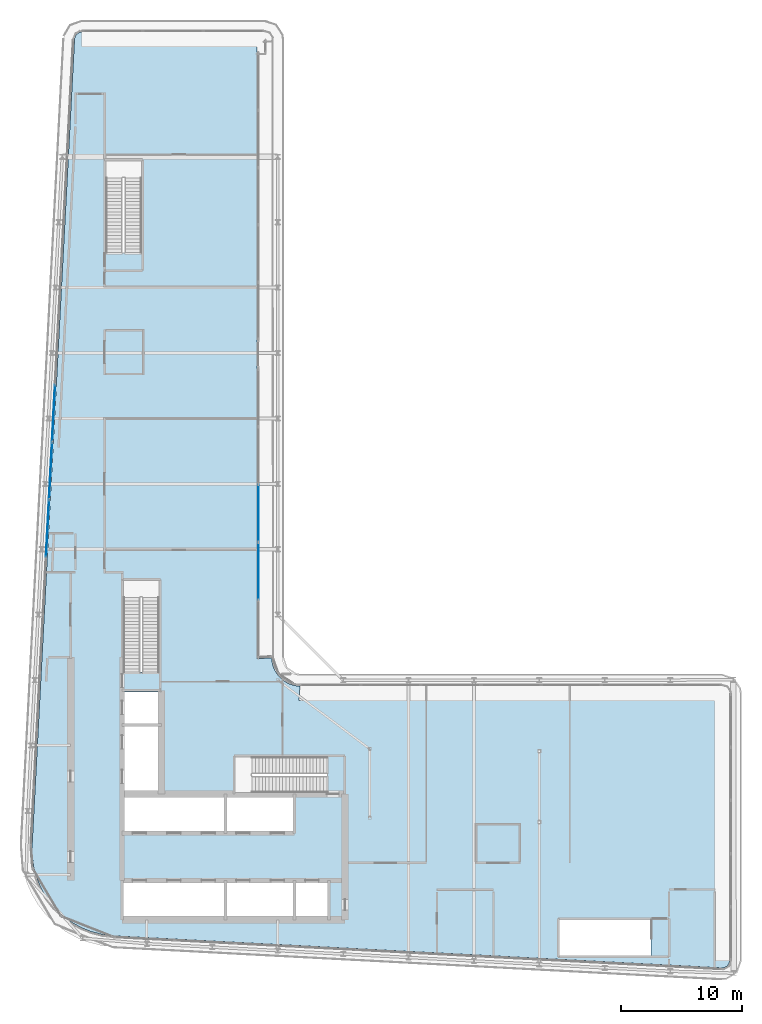
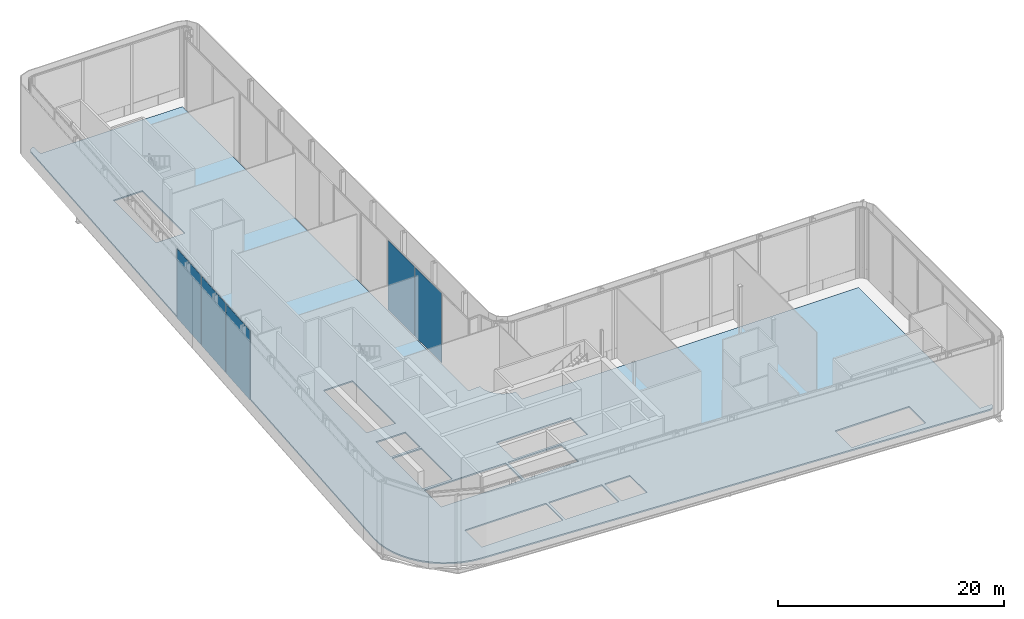
# One storey, part 17 of 27: 5 plates, 1 slab, 2 elements without a shape of their own.
"""IFC4 building model written with IfcOpenShell, lengths in metres."""

from ifc_helpers import new_model, si_unit, direction, frame, origin, origin_2d, place, context, subcontext, project, spatial, polyline, rectangle, outline, extrude, material, layer, layer_set, type_object, element, aggregate, save


model = new_model("IFC4")

# Units and contexts
model_context = context("Model", 3, precision=1e-05, world=origin(), true_north=direction((0.0, 1.0)))
body_context = subcontext(model_context, "Body", "Model", "MODEL_VIEW")
ifc_project = project(units=[si_unit("LENGTHUNIT", "METRE"), si_unit("AREAUNIT", "SQUARE_METRE"), si_unit("VOLUMEUNIT", "CUBIC_METRE"), si_unit("PLANEANGLEUNIT", "RADIAN"), si_unit("MASSUNIT", "GRAM", prefix="KILO")], contexts=[model_context])

# Site, building, storey
site_placement = place(None, origin())
site = spatial("IfcSite", under=ifc_project, at=site_placement, CompositionType="ELEMENT")
building_placement = place(site_placement, origin())
building = spatial("IfcBuilding", under=site, at=building_placement, Name="Kheshtan School and Residences Tower", CompositionType="ELEMENT")
storey_placement = place(building_placement, frame((0.0, 0.0, 266.89990234375)))
storey = spatial("IfcBuildingStorey", under=building, at=storey_placement, Name="L63", CompositionType="ELEMENT", Elevation=266.89990234375)

# Curtain wall, plates
ifc_material_1 = material(Name="Clear low-e glass in thermally broken aluminium frame", Category="aluminium")
ifc_layer_1 = layer(ifc_material_1, 0.25)
ifc_layer_set_1 = layer_set([ifc_layer_1], Name="Curtain wall CW-G")
curtain_wall_type_1 = type_object("IfcCurtainWallType", Name="Curtain wall CW-G", PredefinedType="NOTDEFINED", material=ifc_layer_set_1)
curtain_wall_1_placement = place(storey_placement, origin())
curtain_wall_1 = element("IfcCurtainWall", 1, at=curtain_wall_1_placement, inside=storey, type_object=curtain_wall_type_1, Name="Curtain wall CWG19c", PredefinedType="NOTDEFINED")
ifc_layer_2 = layer(ifc_material_1, 0.0380859375)
ifc_layer_set_2 = layer_set([ifc_layer_2], Name="CW-G glass panel")
plate_type_1 = type_object("IfcPlateType", Name="CW-G glass panel", PredefinedType="CURTAIN_PANEL", material=ifc_layer_set_2)
plate_1_placement = place(storey_placement, frame((46.0, 59.364990234375, 0.0), z_axis=(0.0, 0.0, 1.0), x_axis=(0.0, -1.0, 0.0)))
plate_1 = element("IfcPlate", 2, at=plate_1_placement, type_object=plate_type_1, Name="CWG19c panel 3.1", PredefinedType="CURTAIN_PANEL", context=body_context, shape_type="SweptSolid", body=[
    extrude(rectangle(XDim=4.714111328125, YDim=0.0380859375, at=origin_2d()), origin(), (0.0, 0.0, 1.0), 7.489990234375),
])
plate_2_placement = place(storey_placement, frame((46.0, 54.591064453125, 0.0), z_axis=(0.0, 0.0, 1.0), x_axis=(0.0, -1.0, 0.0)))
plate_2 = element("IfcPlate", 3, at=plate_2_placement, type_object=plate_type_1, Name="CWG19c panel 4.1", PredefinedType="CURTAIN_PANEL", context=body_context, shape_type="SweptSolid", body=[
    extrude(rectangle(XDim=4.714111328125, YDim=0.0380859375, at=origin_2d()), origin(), (0.0, 0.0, 1.0), 7.489990234375),
])
aggregate(curtain_wall_1, [plate_1, plate_2])

ifc_layer_3 = layer(ifc_material_1, 0.25)
ifc_layer_set_3 = layer_set([ifc_layer_3], Name="Curtain wall CW-K")
curtain_wall_type_2 = type_object("IfcCurtainWallType", Name="Curtain wall CW-K", PredefinedType="NOTDEFINED", material=ifc_layer_set_3)
curtain_wall_2_placement = place(storey_placement, origin())
curtain_wall_2 = element("IfcCurtainWall", 4, at=curtain_wall_2_placement, inside=storey, type_object=curtain_wall_type_2, Name="Curtain wall CWK10a", PredefinedType="NOTDEFINED")
ifc_layer_4 = layer(ifc_material_1, 0.0380859375)
ifc_layer_set_4 = layer_set([ifc_layer_4], Name="CW-K glass panel")
plate_type_2 = type_object("IfcPlateType", Name="CW-K glass panel", PredefinedType="CURTAIN_PANEL", material=ifc_layer_set_4)
plate_3_placement = place(storey_placement, frame((28.595947265625, 58.113037109375, 0.0), z_axis=(0.0, 0.0, 1.0), x_axis=(0.05256513568, 0.998617497599, 0.0)))
plate_3 = element("IfcPlate", 5, at=plate_3_placement, type_object=plate_type_2, Name="CWK10a panel 6.1", PredefinedType="CURTAIN_PANEL", context=body_context, shape_type="SweptSolid", body=[
    extrude(rectangle(XDim=4.69873046875, YDim=0.0380859375, at=origin_2d()), origin(), (0.0, 0.0, 1.0), 7.489990234375),
])
plate_4_placement = place(storey_placement, frame((28.845947265625, 62.865234375, 0.0), z_axis=(0.0, 0.0, 1.0), x_axis=(0.05256513568, 0.998617497599, 0.0)))
plate_4 = element("IfcPlate", 6, at=plate_4_placement, type_object=plate_type_2, Name="CWK10a panel 7.1", PredefinedType="CURTAIN_PANEL", context=body_context, shape_type="SweptSolid", body=[
    extrude(rectangle(XDim=4.69873046875, YDim=0.0380859375, at=origin_2d()), origin(), (0.0, 0.0, 1.0), 7.489990234375),
])
plate_5_placement = place(storey_placement, frame((29.09619140625, 67.617431640625, 0.0), z_axis=(0.0, 0.0, 1.0), x_axis=(0.05256513568, 0.998617497599, 0.0)))
plate_5 = element("IfcPlate", 7, at=plate_5_placement, type_object=plate_type_2, Name="CWK10a panel 8.1", PredefinedType="CURTAIN_PANEL", context=body_context, shape_type="SweptSolid", body=[
    extrude(rectangle(XDim=4.69873046875, YDim=0.0380859375, at=origin_2d()), origin(), (0.0, 0.0, 1.0), 7.489990234375),
])
aggregate(curtain_wall_2, [plate_3, plate_4, plate_5])

# Slab
ifc_material_2 = material(Name="Concrete C40/50", Category="concrete")
ifc_layer_5 = layer(ifc_material_2, 0.14990234375)
ifc_layer_set_5 = layer_set([ifc_layer_5], Name="Floor slab 150 Concrete C40/50")
slab_type = type_object("IfcSlabType", Name="Floor slab 150 Concrete C40/50", PredefinedType="FLOOR", material=ifc_layer_set_5)
slab_placement = place(storey_placement, frame((0.0, 0.0, -0.14990234375)))
element("IfcSlab", 8, at=slab_placement, inside=storey, type_object=slab_type, Name="Floor slab L63", PredefinedType="FLOOR", context=body_context, shape_type="SweptSolid", body=[
    extrude(outline(polyline([(30.888916015625, 98.77001953125), (30.931884765625, 98.840087890625), (30.98291015625, 98.904052734375), (31.04296875, 98.9619140625), (31.10693359375, 99.008056640625), (31.18310546875, 99.047119140625), (31.260986328125, 99.074951171875), (31.341064453125, 99.092041015625), (31.423095703125, 99.097900390625), (31.423095703125, 97.902099609375), (31.423095703125, 97.90087890625), (31.424072265625, 97.89990234375), (31.425048828125, 97.89990234375), (45.85009765625, 97.89990234375), (45.85498046875, 97.89990234375), (45.860107421875, 97.89892578125), (45.864990234375, 97.89794921875), (45.868896484375, 97.89599609375), (45.8740234375, 97.89404296875), (45.8779296875, 97.89208984375), (45.882080078125, 97.888916015625), (45.885009765625, 97.885009765625), (45.888916015625, 97.882080078125), (45.89208984375, 97.8779296875), (45.89404296875, 97.8740234375), (45.89599609375, 97.868896484375), (45.89794921875, 97.864990234375), (45.89892578125, 97.860107421875), (45.89990234375, 97.85498046875), (45.89990234375, 97.85009765625), (45.89990234375, 97.39990234375), (45.89990234375, 47.501953125), (45.89990234375, 47.5009765625), (45.89990234375, 47.429931640625), (45.905029296875, 47.361083984375), (47.10205078125, 47.43994140625), (47.118896484375, 47.18603515625), (47.179931640625, 46.87890625), (47.281005859375, 46.5810546875), (47.419921875, 46.299072265625), (47.593994140625, 46.0390625), (47.801025390625, 45.801025390625), (48.0390625, 45.593994140625), (48.299072265625, 45.419921875), (48.5810546875, 45.281005859375), (48.87890625, 45.179931640625), (49.18603515625, 45.118896484375), (49.43994140625, 45.10205078125), (49.361083984375, 43.905029296875), (49.429931640625, 43.89990234375), (49.5, 43.89990234375), (49.5, 43.90087890625), (49.5009765625, 43.89990234375), (49.501953125, 43.89990234375), (83.64990234375, 43.89990234375), (83.655029296875, 43.89990234375), (83.659912109375, 43.89892578125), (83.6650390625, 43.89794921875), (83.6689453125, 43.89599609375), (83.674072265625, 43.89404296875), (83.677978515625, 43.89208984375), (83.681884765625, 43.888916015625), (83.68505859375, 43.885009765625), (83.68896484375, 43.882080078125), (83.69189453125, 43.8779296875), (83.694091796875, 43.8740234375), (83.696044921875, 43.868896484375), (83.697998046875, 43.864990234375), (83.698974609375, 43.860107421875), (83.699951171875, 43.85498046875), (83.699951171875, 43.85009765625), (83.699951171875, 22.43603515625), (83.699951171875, 22.43505859375), (83.700927734375, 22.43408203125), (83.701904296875, 22.43408203125), (84.89794921875, 22.43408203125), (84.89208984375, 22.35400390625), (84.8759765625, 22.27392578125), (84.84912109375, 22.196044921875), (84.81298828125, 22.125), (84.76708984375, 22.06005859375), (84.7109375, 21.9990234375), (84.64892578125, 21.947998046875), (84.5810546875, 21.905029296875), (84.507080078125, 21.8720703125), (84.429931640625, 21.85009765625), (84.35009765625, 21.837890625), (84.243896484375, 21.8359375), (84.238037109375, 21.8359375), (34.056884765625, 24.47802734375), (33.114990234375, 24.590087890625), (32.215087890625, 24.819091796875), (31.35205078125, 25.1630859375), (30.541015625, 25.616943359375), (29.798095703125, 26.172119140625), (29.134033203125, 26.820068359375), (28.55908203125, 27.550048828125), (28.0849609375, 28.345947265625), (27.718017578125, 29.200927734375), (27.466064453125, 30.093994140625), (27.3330078125, 31.013916015625), (27.320068359375, 31.965087890625), (27.320068359375, 31.970947265625), (30.822021484375, 98.5009765625), (30.822998046875, 98.508056640625), (30.8359375, 98.613037109375), (30.85693359375, 98.69189453125), (30.888916015625, 98.77001953125)]), holes=[polyline([(43.175048828125, 28.925048828125), (34.875, 28.925048828125), (34.875, 25.925048828125), (43.175048828125, 25.925048828125), (43.175048828125, 28.925048828125)]), polyline([(43.175048828125, 36.074951171875), (34.875, 36.074951171875), (34.875, 33.074951171875), (43.175048828125, 33.074951171875), (43.175048828125, 36.074951171875)]), polyline([(34.875, 41.77490234375), (34.875, 36.324951171875), (37.875, 36.324951171875), (37.875, 41.77490234375), (34.875, 41.77490234375)]), polyline([(37.875, 44.625), (34.875, 44.625), (34.875, 42.02490234375), (37.875, 42.02490234375), (37.875, 44.625)]), polyline([(36.25, 46.25), (37.800048828125, 46.25), (37.800048828125, 53.81005859375), (34.85009765625, 53.81005859375), (34.85009765625, 46.260009765625), (36.25, 46.260009765625), (36.25, 46.25)]), polyline([(33.39990234375, 88.4599609375), (33.39990234375, 80.909912109375), (34.800048828125, 80.909912109375), (34.800048828125, 80.89990234375), (36.35009765625, 80.89990234375), (36.35009765625, 88.4599609375), (33.39990234375, 88.4599609375)]), polyline([(70.85009765625, 25.800048828125), (70.85009765625, 22.85009765625), (78.39990234375, 22.85009765625), (78.39990234375, 24.25), (78.409912109375, 24.25), (78.409912109375, 25.800048828125), (70.85009765625, 25.800048828125)]), polyline([(43.425048828125, 28.925048828125), (43.425048828125, 25.925048828125), (48.875, 25.925048828125), (48.875, 28.925048828125), (43.425048828125, 28.925048828125)]), polyline([(49.125, 28.925048828125), (49.125, 25.925048828125), (51.72509765625, 25.925048828125), (51.72509765625, 28.925048828125), (49.125, 28.925048828125)]), polyline([(43.425048828125, 36.074951171875), (43.425048828125, 33.074951171875), (48.875, 33.074951171875), (48.875, 36.074951171875), (43.425048828125, 36.074951171875)]), polyline([(51.64990234375, 37.699951171875), (51.64990234375, 39.25), (44.090087890625, 39.25), (44.090087890625, 36.300048828125), (51.639892578125, 36.300048828125), (51.639892578125, 37.699951171875), (51.64990234375, 37.699951171875)])]), origin(), (0.0, 0.0, 1.0), 0.14990234375),
])

save(model, "model.ifc")
